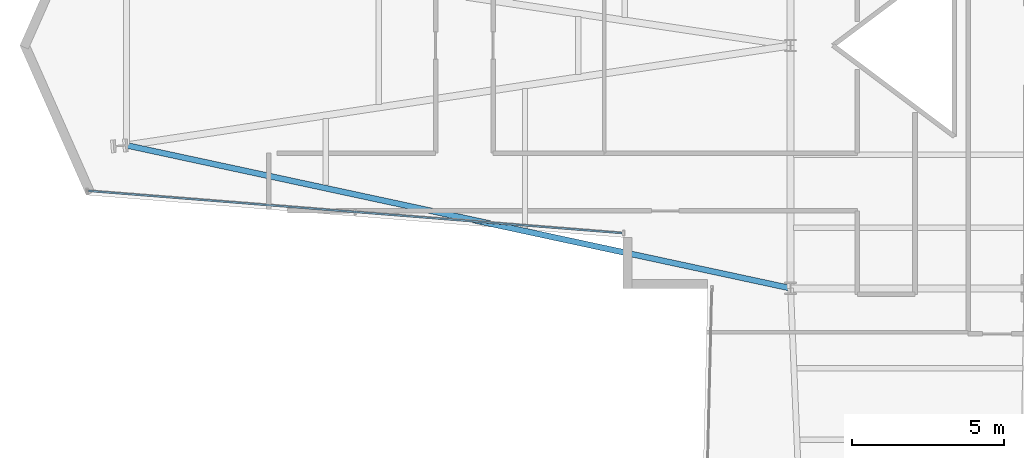
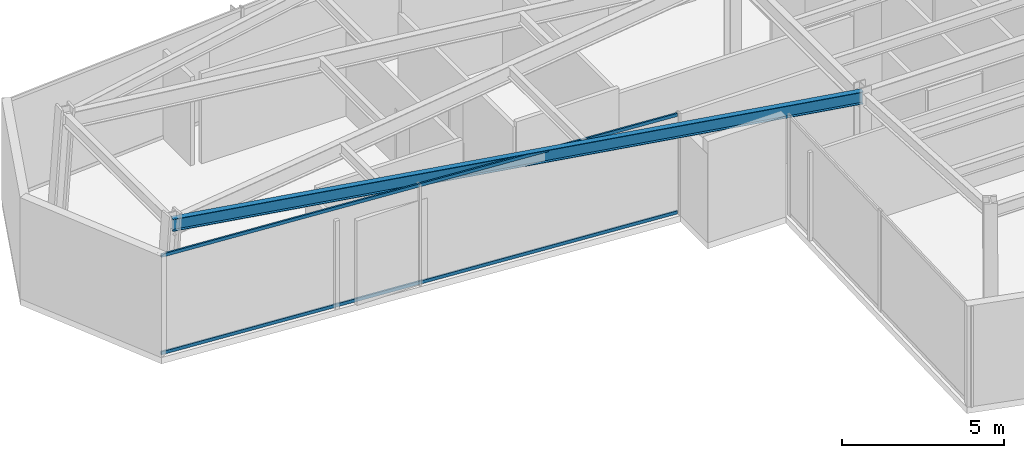
# One storey, part 3 of 25: 2 members, 1 beam, 1 element without a shape of its own.
"""IFC4 building model written with IfcOpenShell, lengths in metres."""

from ifc_helpers import new_model, si_unit, direction, frame, origin, origin_2d, place, context, subcontext, project, spatial, hollow_rectangle, i_section, extrude, material, layer, layer_set, material_profile, profile_set, type_object, element, aggregate, save


model = new_model("IFC4")

# Units and contexts
model_context = context("Model", 3, precision=1e-05, world=origin(), true_north=direction((0.0, 1.0)))
body_context = subcontext(model_context, "Body", "Model", "MODEL_VIEW")
ifc_project = project(units=[si_unit("LENGTHUNIT", "METRE"), si_unit("AREAUNIT", "SQUARE_METRE"), si_unit("VOLUMEUNIT", "CUBIC_METRE"), si_unit("PLANEANGLEUNIT", "RADIAN"), si_unit("MASSUNIT", "GRAM", prefix="KILO")], contexts=[model_context])

# Site, building, storey
site_placement = place(None, origin())
site = spatial("IfcSite", under=ifc_project, at=site_placement, CompositionType="ELEMENT")
building_placement = place(site_placement, origin())
building = spatial("IfcBuilding", under=site, at=building_placement, Name="Veymaron Broadcast Tower", CompositionType="ELEMENT")
storey_placement = place(building_placement, frame((0.0, 0.0, 82.35009765625)))
storey = spatial("IfcBuildingStorey", under=building, at=storey_placement, Name="L18", CompositionType="ELEMENT", Elevation=82.35009765625)

# Beam
ifc_material_1 = material(Name="Structural steel ASTM A992 Gr 50", Category="steel")
ifc_material_profile_1 = material_profile(ifc_material_1, i_section(OverallWidth=0.19091796875, OverallDepth=0.4599609375, WebThickness=0.010009765625, FlangeThickness=0.01611328125, at=origin_2d()), Name="W460X82")
ifc_profile_set_1 = profile_set([ifc_material_profile_1], Name="Structural steel ASTM A992 Gr 50")
beam_type = type_object("IfcBeamType", Name="BM-SP1", PredefinedType="SPANDREL", material=ifc_profile_set_1)
beam_placement = place(storey_placement, frame((9.318115234375, 20.7099609375, 3.579833984375), z_axis=(0.977609819435, -0.210425856167, 0.0), x_axis=(0.210425856167, 0.977609819435, 0.0)))
element("IfcBeam", 1, at=beam_placement, inside=storey, type_object=beam_type, Name="L18 primary structural floor girder", PredefinedType="SPANDREL", context=body_context, shape_type="SweptSolid", body=[
    extrude(i_section(OverallWidth=0.19091796875, OverallDepth=0.4599609375, WebThickness=0.010009765625, FlangeThickness=0.01611328125, at=origin_2d()), origin(), (0.0, 0.0, 1.0), 22.383056640625),
])

# Curtain wall, members
ifc_material_2 = material(Name="Anodised aluminium AA 6063-T6 and laminated low-E dark glass", Category="aluminium")
ifc_layer = layer(ifc_material_2, 0.179931640625)
ifc_layer_set = layer_set([ifc_layer], Name="Anodised aluminium AA 6063-T6 and laminated low-E dark glass")
curtain_wall_type = type_object("IfcCurtainWallType", Name="CW-SYS-02", PredefinedType="NOTDEFINED", material=ifc_layer_set)
curtain_wall_placement = place(storey_placement, origin())
curtain_wall = element("IfcCurtainWall", 2, at=curtain_wall_placement, inside=storey, type_object=curtain_wall_type, Name="L18 dark-glass curtain wall CW-L18-E14-1", PredefinedType="NOTDEFINED")
ifc_material_3 = material(Name="Anodised aluminium AA 6063-T6", Category="aluminium")
ifc_material_profile_2 = material_profile(ifc_material_3, hollow_rectangle(XDim=0.06005859375, YDim=0.1201171875, WallThickness=0.00390625, at=origin_2d()), Name="AL120X60X4")
ifc_profile_set_2 = profile_set([ifc_material_profile_2], Name="Anodised aluminium AA 6063-T6")
member_type = type_object("IfcMemberType", Name="CW-TRN-02", PredefinedType="USERDEFINED", material=ifc_profile_set_2)
member_1_placement = place(storey_placement, frame((8.060791015625, 19.208740234375, 0.06982421875), z_axis=(0.996892203144, -0.078777758981, 0.0), x_axis=(0.078777758981, 0.996892203144, 0.0)))
member_1 = element("IfcMember", 3, at=member_1_placement, type_object=member_type, Name="CW-L18-E14-1 transom B", ObjectType="TRANSOM", PredefinedType="USERDEFINED", context=body_context, shape_type="SweptSolid", body=[
    extrude(hollow_rectangle(XDim=0.06005859375, YDim=0.1201171875, WallThickness=0.00390625, at=origin_2d()), origin(), (0.0, 0.0, 1.0), 17.643310546875),
])
member_2_placement = place(storey_placement, frame((8.060791015625, 19.208740234375, 3.739990234375), z_axis=(0.996892203144, -0.078777758981, 0.0), x_axis=(0.078777758981, 0.996892203144, 0.0)))
member_2 = element("IfcMember", 4, at=member_2_placement, type_object=member_type, Name="CW-L18-E14-1 transom T", ObjectType="TRANSOM", PredefinedType="USERDEFINED", context=body_context, shape_type="SweptSolid", body=[
    extrude(hollow_rectangle(XDim=0.06005859375, YDim=0.1201171875, WallThickness=0.00390625, at=origin_2d()), origin(), (0.0, 0.0, 1.0), 17.643310546875),
])
aggregate(curtain_wall, [member_1, member_2])

save(model, "model.ifc")
